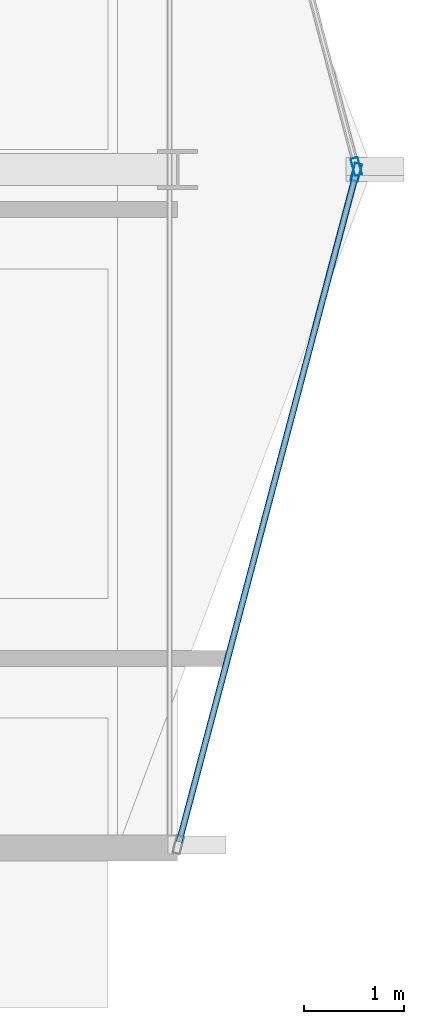
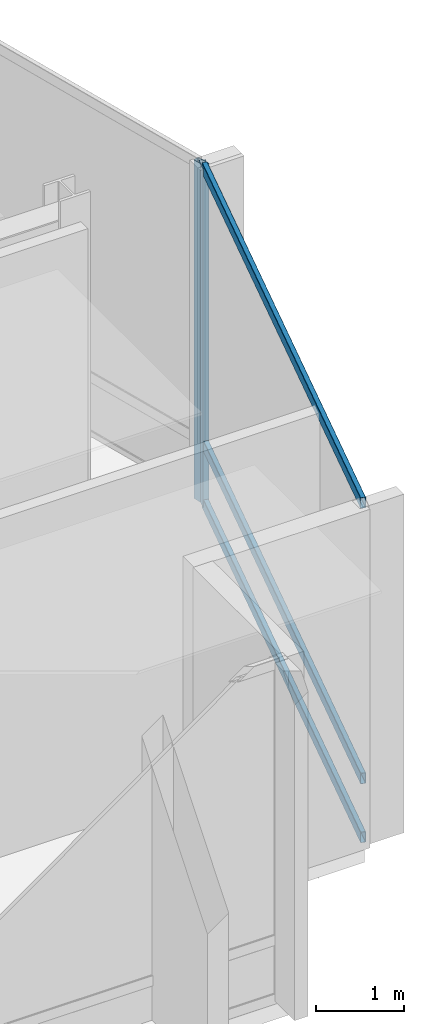
# One storey, part 11 of 28: 5 members, 2 elements without a shape of their own.
"""IFC4 building model written with IfcOpenShell, lengths in metres."""

import ifcopenshell
import ifcopenshell.guid

model = None  # the IFC model being written
_history = None  # IfcOwnerHistory: only IFC2X3 demands one
_inside = {}  # id of a spatial element -> (the spatial element, [elements in it])
_under = {}  # id of a project, library or spatial element -> (it, [spatial elements below it])
_declared = {}  # id of a project -> (the project, [libraries it declares])
_typed = {}  # id of a type object -> (the type object, [elements of that type])
_made_of = {}  # id of a material, layer set ... -> (it, [elements and type objects made of it])


def new_model(schema):
    """Start an empty IFC model of exactly this schema.

    Asked for "IFC4X3", IfcOpenShell would pick the latest addendum, in which some entities
    have other attributes; the version numbers below select the first issue.
    IFC2X3 requires an IfcOwnerHistory on every rooted entity: one is made here for all.
    """
    global model, _history
    if schema == "IFC4X3":
        model = ifcopenshell.file(schema_version=(4, 3, 0, 0))
    else:
        model = ifcopenshell.file(schema=schema)
    _inside.clear()
    _under.clear()
    _declared.clear()
    _typed.clear()
    _made_of.clear()
    _history = None
    if model.schema == "IFC2X3":
        org = make("IfcOrganization", Name="unknown")
        user = make(
            "IfcPersonAndOrganization",
            ThePerson=make("IfcPerson", FamilyName="unknown"),
            TheOrganization=org,
        )
        app = make(
            "IfcApplication",
            ApplicationDeveloper=org,
            Version="unknown",
            ApplicationFullName="unknown",
            ApplicationIdentifier="unknown",
        )
        _history = make(
            "IfcOwnerHistory",
            OwningUser=user,
            OwningApplication=app,
            ChangeAction="ADDED",
            CreationDate=0,
        )
    return model


def make(cls, **values):
    """One entity of the class cls with the attributes given. An attribute that is None is left unset."""
    return model.create_entity(
        cls, **{name: value for name, value in values.items() if value is not None}
    )


def rooted(cls, **values):
    """An entity with a GlobalId (a new one), such as an element, a storey or a relation."""
    return make(cls, GlobalId=ifcopenshell.guid.new(), OwnerHistory=_history, **values)


def si_unit(unit_type, name, prefix=None):
    """IfcSIUnit, for example si_unit("LENGTHUNIT", "METRE", prefix="MILLI")."""
    return make("IfcSIUnit", UnitType=unit_type, Prefix=prefix, Name=name)


def assignment(units):
    """IfcUnitAssignment: the units of a project."""
    return None if units is None else make("IfcUnitAssignment", Units=units)


def point(xyz):
    """IfcCartesianPoint."""
    return None if xyz is None else make("IfcCartesianPoint", Coordinates=xyz)


def direction(xyz):
    """IfcDirection."""
    return None if xyz is None else make("IfcDirection", DirectionRatios=xyz)


def frame(location, z_axis=None, x_axis=None):
    """IfcAxis2Placement3D, a coordinate frame: its origin and axes. An axis left out is left unset."""
    return make(
        "IfcAxis2Placement3D",
        Location=point(location),
        Axis=direction(z_axis),
        RefDirection=direction(x_axis),
    )


def frame_2d(location, x_axis=None):
    """IfcAxis2Placement2D, a coordinate frame in the plane: its origin and x axis."""
    return make(
        "IfcAxis2Placement2D", Location=point(location), RefDirection=direction(x_axis)
    )


def origin():
    """The frame at (0, 0, 0) with its axes left unset."""
    return frame((0.0, 0.0, 0.0))


def origin_2d():
    """The frame at (0, 0) in the plane with its x axis left unset."""
    return frame_2d((0.0, 0.0))


def place(relative_to, where):
    """IfcLocalPlacement: puts the frame where relative to a parent placement (None: the world)."""
    return make(
        "IfcLocalPlacement", PlacementRelTo=relative_to, RelativePlacement=where
    )


def context(
    kind, dimensions, precision=None, world=None, true_north=None, identifier=None
):
    """IfcGeometricRepresentationContext, for example the 3D "Model" context."""
    return make(
        "IfcGeometricRepresentationContext",
        ContextIdentifier=identifier,
        ContextType=kind,
        CoordinateSpaceDimension=dimensions,
        Precision=precision,
        WorldCoordinateSystem=world,
        TrueNorth=true_north,
    )


def subcontext(parent, identifier, kind, view, scale=None):
    """IfcGeometricRepresentationSubContext, for example "Body" below "Model"."""
    return make(
        "IfcGeometricRepresentationSubContext",
        ContextIdentifier=identifier,
        ContextType=kind,
        ParentContext=parent,
        TargetScale=scale,
        TargetView=view,
    )


def project(units=None, contexts=None):
    """IfcProject with its units and contexts."""
    return rooted(
        "IfcProject",
        Name="project",
        RepresentationContexts=contexts,
        UnitsInContext=assignment(units),
    )


def spatial(cls, under=None, at=None, **own):
    """A site, building, storey or space (cls), placed at a placement, below another one or the project."""
    s = rooted(cls, ObjectPlacement=at, **own)
    if under is not None:
        _under.setdefault(under.id(), (under, []))[1].append(s)
    return s


def profile(cls, at=None, kind="AREA", **sizes):
    """A parametric profile (cls). Its sizes go by their IFC names, for example OverallWidth=200.0."""
    return make(cls, ProfileType=kind, Position=at, **sizes)


def hollow_rectangle(**sizes):
    """IfcRectangleHollowProfileDef."""
    return profile("IfcRectangleHollowProfileDef", **sizes)


def extrude(swept, where, along, depth):
    """IfcExtrudedAreaSolid: the profile swept, set in the frame where, extruded along a direction by depth."""
    return make(
        "IfcExtrudedAreaSolid",
        SweptArea=swept,
        Position=where,
        ExtrudedDirection=direction(along),
        Depth=depth,
    )


def shape(context_of_items, identifier, shape_type, items):
    """IfcShapeRepresentation: the items that make up one representation, for example the "Body"."""
    return make(
        "IfcShapeRepresentation",
        ContextOfItems=context_of_items,
        RepresentationIdentifier=identifier,
        RepresentationType=shape_type,
        Items=items,
    )


def material(Name=None, Category=None):
    """IfcMaterial."""
    return make("IfcMaterial", Name=Name, Category=Category)


def layer(
    of_material, thickness, ventilated=None, Name=None, Category=None, Priority=None
):
    """IfcMaterialLayer: one layer of a wall or slab, of a material (None: an air gap)."""
    return make(
        "IfcMaterialLayer",
        Material=of_material,
        LayerThickness=thickness,
        IsVentilated=ventilated,
        Name=Name,
        Category=Category,
        Priority=Priority,
    )


def layer_set(layers, Name=None):
    """IfcMaterialLayerSet."""
    return make("IfcMaterialLayerSet", MaterialLayers=layers, LayerSetName=Name)


def material_profile(
    of_material, cross_section, Name=None, Category=None, Priority=None
):
    """IfcMaterialProfile: a cross section and its material."""
    return make(
        "IfcMaterialProfile",
        Name=Name,
        Material=of_material,
        Profile=cross_section,
        Priority=Priority,
        Category=Category,
    )


def profile_set(profiles, Name=None, composite=None):
    """IfcMaterialProfileSet."""
    return make(
        "IfcMaterialProfileSet",
        Name=Name,
        MaterialProfiles=profiles,
        CompositeProfile=composite,
    )


def made_of(thing, what):
    """Note that an element or type object is made of a material, layer set ...; save() writes the relation."""
    if what is not None:
        _made_of.setdefault(what.id(), (what, []))[1].append(thing)
    return thing


def type_object(cls, material=None, **own):
    """A type object (cls), such as IfcWallType, which elements share."""
    return made_of(rooted(cls, **own), material)


def element(
    cls,
    number,
    at=None,
    inside=None,
    cuts=None,
    type_object=None,
    material=None,
    context=None,
    identifier="Body",
    shape_type=None,
    held_by="IfcProductDefinitionShape",
    body=None,
    shapes=None,
    **own,
):
    """One element of the class cls, such as IfcWall. Its Tag is "e" and its number.

    at: its placement. inside: the storey or other place that contains it. cuts: it is an
    opening in that element (IfcRelVoidsElement). A single representation is given by context,
    identifier, shape_type and body (its items); several are given by shapes. held_by: the class
    of the entity that holds the representations. save() writes the other relations.
    """
    e = rooted(cls, Tag="e%d" % number, ObjectPlacement=at, **own)
    if body is not None:
        shapes = [shape(context, identifier, shape_type, body)]
    if shapes is not None:
        e.Representation = make(held_by, Representations=shapes)
    if inside is not None:
        _inside.setdefault(inside.id(), (inside, []))[1].append(e)
    if cuts is not None:
        rooted(
            "IfcRelVoidsElement", RelatingBuildingElement=cuts, RelatedOpeningElement=e
        )
    if type_object is not None:
        _typed.setdefault(type_object.id(), (type_object, []))[1].append(e)
    return made_of(e, material)


def aggregate(whole, parts):
    """IfcRelAggregates: a whole, such as a stair, and the parts it consists of."""
    return rooted("IfcRelAggregates", RelatingObject=whole, RelatedObjects=parts)


def save(model, path):
    """Write the relations noted so far, then the file.

    IfcRelAggregates (storeys below a building ...), IfcRelContainedInSpatialStructure (elements
    in a storey), IfcRelDefinesByType, IfcRelAssociatesMaterial and IfcRelDeclares: one each for
    every whole, place, type object, material and project.
    """
    for whole, parts in _under.values():
        aggregate(whole, parts)
    for where, things in _inside.values():
        rooted(
            "IfcRelContainedInSpatialStructure",
            RelatedElements=things,
            RelatingStructure=where,
        )
    for kind, things in _typed.values():
        rooted("IfcRelDefinesByType", RelatedObjects=things, RelatingType=kind)
    for what, things in _made_of.values():
        rooted("IfcRelAssociatesMaterial", RelatedObjects=things, RelatingMaterial=what)
    for by, libraries in _declared.values():
        rooted("IfcRelDeclares", RelatingContext=by, RelatedDefinitions=libraries)
    model.write(path)


model = new_model("IFC4")

# Units and contexts
model_context = context("Model", 3, precision=1e-05, world=origin(), true_north=direction((0.0, 1.0)))
body_context = subcontext(model_context, "Body", "Model", "MODEL_VIEW")
ifc_project = project(units=[si_unit("LENGTHUNIT", "METRE"), si_unit("AREAUNIT", "SQUARE_METRE"), si_unit("VOLUMEUNIT", "CUBIC_METRE"), si_unit("PLANEANGLEUNIT", "RADIAN"), si_unit("MASSUNIT", "GRAM", prefix="KILO")], contexts=[model_context])

# Site, building, storey
site_placement = place(None, origin())
site = spatial("IfcSite", under=ifc_project, at=site_placement, CompositionType="ELEMENT")
building_placement = place(site_placement, origin())
building = spatial("IfcBuilding", under=site, at=building_placement, Name="Solvaryn Broadcast Tower", CompositionType="ELEMENT")
storey_placement = place(building_placement, frame((0.0, 0.0, 201.199951171875)))
storey = spatial("IfcBuildingStorey", under=building, at=storey_placement, Name="L50", CompositionType="ELEMENT", Elevation=201.199951171875)

# Curtain wall, member
ifc_material_1 = material(Name="Aluminium and Terracotta Unitised Curtain Wall", Category="masonry")
ifc_layer = layer(ifc_material_1, 0.199951171875)
ifc_layer_set = layer_set([ifc_layer], Name="CW-SYS2-LOWMID")
curtain_wall_type = type_object("IfcCurtainWallType", Name="CW-SYS2-LOWMID", PredefinedType="NOTDEFINED", material=ifc_layer_set)
curtain_wall_1_placement = place(storey_placement, origin())
curtain_wall_1 = element("IfcCurtainWall", 1, at=curtain_wall_1_placement, inside=storey, type_object=curtain_wall_type, Name="L50 Curtain Wall ET1", PredefinedType="NOTDEFINED")
ifc_material_2 = material(Name="Anodised Aluminium 6063-T6", Category="aluminium")
ifc_material_profile_1 = material_profile(ifc_material_2, hollow_rectangle(XDim=0.074951171875, YDim=0.179931640625, WallThickness=0.00390625, InnerFilletRadius=0.00390625, OuterFilletRadius=0.008056640625, at=origin_2d()))
ifc_profile_set_1 = profile_set([ifc_material_profile_1], Name="Anodised Aluminium 6063-T6")
member_type_1 = type_object("IfcMemberType", Name="CW-MUL-180", PredefinedType="MULLION", material=ifc_profile_set_1)
member_1_placement = place(storey_placement, frame((55.792236328125, 18.029052734375, 0.0), z_axis=(0.0, 0.0, 1.0), x_axis=(0.966705227863, 0.25589256031, 0.0)))
member_1 = element("IfcMember", 2, at=member_1_placement, type_object=member_type_1, Name="CWS2 mullion 2", PredefinedType="MULLION", context=body_context, shape_type="SweptSolid", body=[
    extrude(hollow_rectangle(XDim=0.074951171875, YDim=0.179931640625, WallThickness=0.00390625, InnerFilletRadius=0.00390625, OuterFilletRadius=0.008056640625, at=origin_2d()), origin(), (0.0, 0.0, 1.0), 4.719970703125),
])
aggregate(curtain_wall_1, [member_1])

# Curtain wall, members
curtain_wall_2_placement = place(storey_placement, origin())
curtain_wall_2 = element("IfcCurtainWall", 3, at=curtain_wall_2_placement, inside=storey, type_object=curtain_wall_type, Name="L50 Curtain Wall ET2", PredefinedType="NOTDEFINED")
member_2_placement = place(storey_placement, frame((55.792236328125, 17.970947265625, 0.0), z_axis=(0.0, 0.0, 1.0), x_axis=(0.966705227863, -0.25589256031, 0.0)))
member_2 = element("IfcMember", 4, at=member_2_placement, type_object=member_type_1, Name="CWS2 mullion 1", PredefinedType="MULLION", context=body_context, shape_type="SweptSolid", body=[
    extrude(hollow_rectangle(XDim=0.074951171875, YDim=0.179931640625, WallThickness=0.00390625, InnerFilletRadius=0.00390625, OuterFilletRadius=0.008056640625, at=origin_2d()), origin(), (0.0, 0.0, 1.0), 4.719970703125),
])
ifc_material_3 = material(Name="Anodised Aluminium 6063-T6", Category="aluminium")
ifc_material_profile_2 = material_profile(ifc_material_3, hollow_rectangle(XDim=0.06494140625, YDim=0.14990234375, WallThickness=0.00390625, InnerFilletRadius=0.00390625, OuterFilletRadius=0.008056640625, at=origin_2d()))
ifc_profile_set_2 = profile_set([ifc_material_profile_2], Name="Anodised Aluminium 6063-T6")
member_type_2 = type_object("IfcMemberType", Name="CW-TRN-150", PredefinedType="USERDEFINED", material=ifc_profile_set_2)
member_3_placement = place(storey_placement, frame((55.78466796875, 17.94189453125, 0.030029296875), z_axis=(-0.255897413051, -0.966703943301, 0.0), x_axis=(0.966703943301, -0.255897413051, 0.0)))
member_3 = element("IfcMember", 5, at=member_3_placement, type_object=member_type_2, Name="CWS2 transom 1.1", ObjectType="TRANSOM", PredefinedType="USERDEFINED", context=body_context, shape_type="SweptSolid", body=[
    extrude(hollow_rectangle(XDim=0.06494140625, YDim=0.14990234375, WallThickness=0.00390625, InnerFilletRadius=0.00390625, OuterFilletRadius=0.008056640625, at=origin_2d()), origin(), (0.0, 0.0, 1.0), 6.9140625),
])
member_4_placement = place(storey_placement, frame((55.78466796875, 17.94189453125, 0.85009765625), z_axis=(-0.255897413051, -0.966703943301, 0.0), x_axis=(0.966703943301, -0.255897413051, 0.0)))
member_4 = element("IfcMember", 6, at=member_4_placement, type_object=member_type_2, Name="CWS2 transom 1.2", ObjectType="TRANSOM", PredefinedType="USERDEFINED", context=body_context, shape_type="SweptSolid", body=[
    extrude(hollow_rectangle(XDim=0.06494140625, YDim=0.14990234375, WallThickness=0.00390625, InnerFilletRadius=0.00390625, OuterFilletRadius=0.008056640625, at=origin_2d()), origin(), (0.0, 0.0, 1.0), 6.9140625),
])
member_5_placement = place(storey_placement, frame((55.78466796875, 17.94189453125, 4.68994140625), z_axis=(-0.255897413051, -0.966703943301, 0.0), x_axis=(0.966703943301, -0.255897413051, 0.0)))
member_5 = element("IfcMember", 7, at=member_5_placement, type_object=member_type_2, Name="CWS2 transom 1.3", ObjectType="TRANSOM", PredefinedType="USERDEFINED", context=body_context, shape_type="SweptSolid", body=[
    extrude(hollow_rectangle(XDim=0.06494140625, YDim=0.14990234375, WallThickness=0.00390625, InnerFilletRadius=0.00390625, OuterFilletRadius=0.008056640625, at=origin_2d()), origin(), (0.0, 0.0, 1.0), 6.9140625),
])
aggregate(curtain_wall_2, [member_2, member_3, member_4, member_5])

save(model, "model.ifc")
